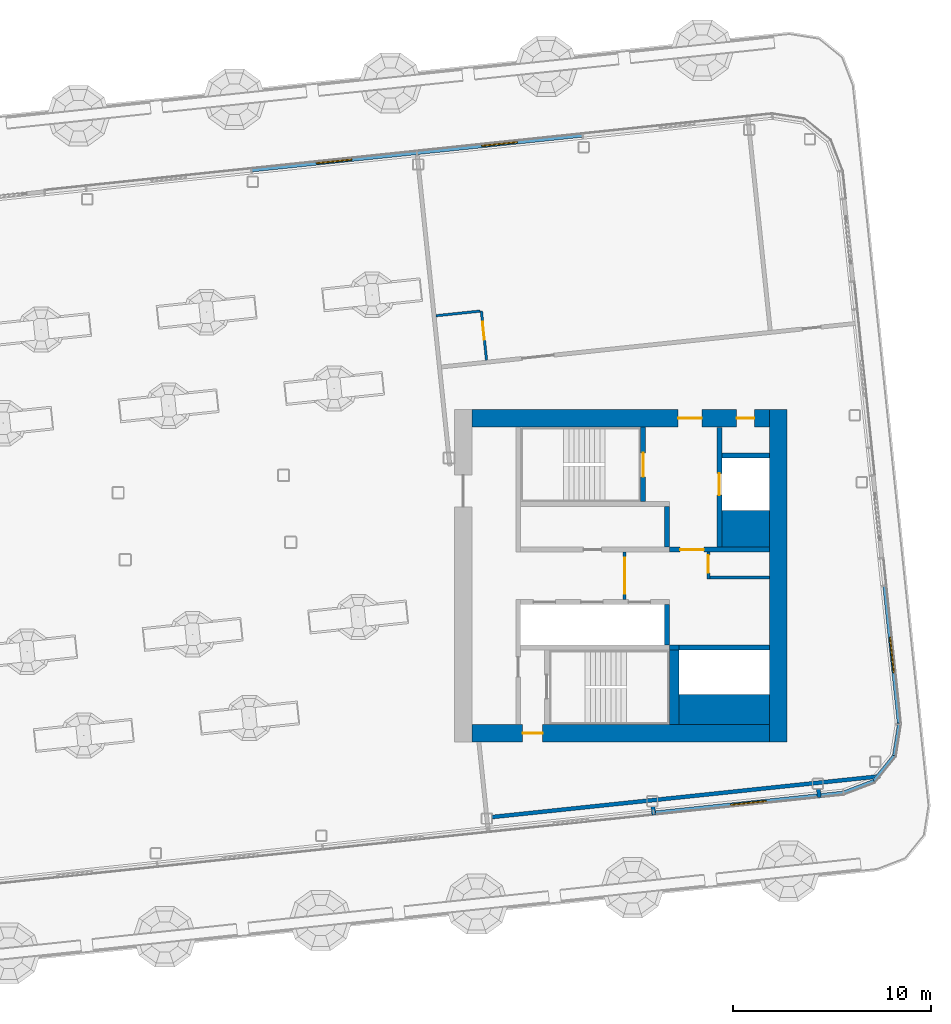
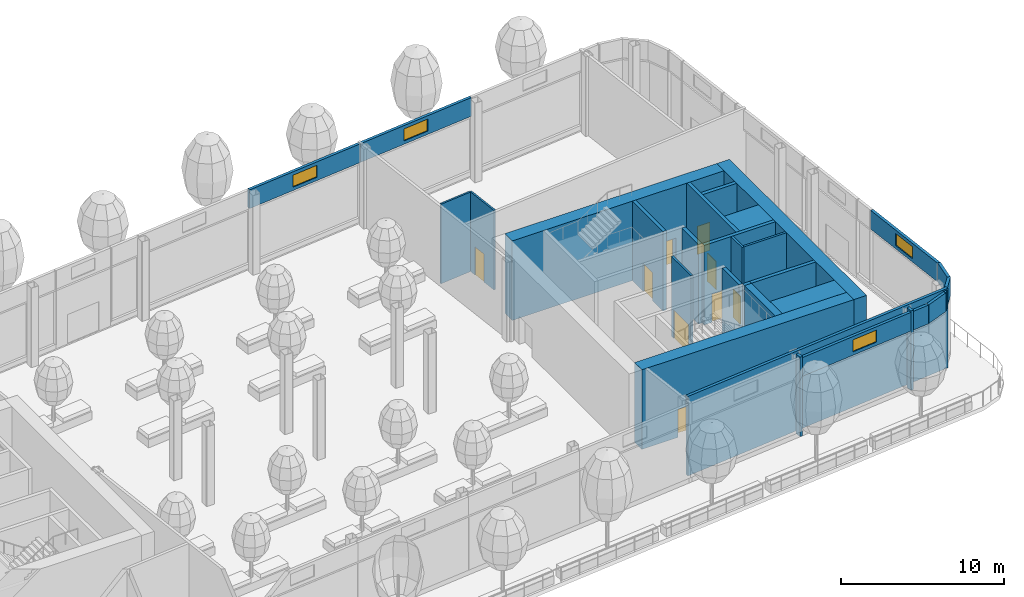
# One storey, part 14 of 42: 29 walls, 9 doors, 4 windows, 13 openings, 4 elements without a shape of their own.
"""IFC4 building model written with IfcOpenShell, lengths in metres."""

from ifc_helpers import new_model, si_unit, direction, frame, frame_2d, origin, place, context, subcontext, project, spatial, rectangle, extrude, material, layer, layer_set, type_object, element, fill, aggregate, save


model = new_model("IFC4")

# Units and contexts
model_context = context("Model", 3, precision=1e-05, world=origin(), true_north=direction((0.0, 1.0)))
body_context = subcontext(model_context, "Body", "Model", "MODEL_VIEW")
ifc_project = project(units=[si_unit("LENGTHUNIT", "METRE"), si_unit("AREAUNIT", "SQUARE_METRE"), si_unit("VOLUMEUNIT", "CUBIC_METRE"), si_unit("PLANEANGLEUNIT", "RADIAN"), si_unit("MASSUNIT", "GRAM", prefix="KILO")], contexts=[model_context])

# Site, building, storey
site_placement = place(None, origin())
site = spatial("IfcSite", under=ifc_project, at=site_placement, CompositionType="ELEMENT")
building_placement = place(site_placement, origin())
building = spatial("IfcBuilding", under=site, at=building_placement, Name="Hakoniwa Tower and Hamabe Station Hall", CompositionType="ELEMENT")
storey_placement = place(building_placement, frame((0.0, 0.0, 232.60009765625)))
storey = spatial("IfcBuildingStorey", under=building, at=storey_placement, Name="L66", CompositionType="ELEMENT", Elevation=232.60009765625)

# Wall, opening, door
ifc_material_1 = material(Name="Gypsum board partition")
ifc_layer_1 = layer(ifc_material_1, 0.14990234375)
ifc_layer_set_1 = layer_set([ifc_layer_1], Name="CORE PARTITION 150 EI 60")
wall_type_1 = type_object("IfcWallType", Name="CORE PARTITION 150 EI 60", PredefinedType="PARTITIONING", material=ifc_layer_set_1)
wall_1_placement = place(storey_placement, frame((25.39990234375, -1.199951171875, 0.0), z_axis=(0.0, 0.0, 1.0), x_axis=(0.0, 1.0, 0.0)))
wall_1 = element("IfcWall", 1, at=wall_1_placement, inside=storey, type_object=wall_type_1, Name="Core partition PL0 east", PredefinedType="PARTITIONING", context=body_context, shape_type="SweptSolid", body=[
    extrude(rectangle(XDim=2.39990234375, YDim=0.14990234375, at=frame_2d((1.199951171875, 0.0))), origin(), (0.0, 0.0, 1.0), 5.949951171875),
])
opening_1_placement = place(wall_1_placement, frame((0.300048828125, 0.0, 0.0)))
opening_1 = element("IfcOpeningElement", 2, at=opening_1_placement, cuts=wall_1, Name="Opening CD-E-LP0-18", PredefinedType="OPENING", context=body_context, shape_type="SweptSolid", body=[
    extrude(rectangle(XDim=1.800048828125, YDim=2.10009765625, at=frame_2d((0.89990234375, 1.050048828125))), frame((0.0, 0.0849609375, 0.0), z_axis=(0.0, -1.0, 0.0), x_axis=(1.0, 0.0, 0.0)), (0.0, 0.0, 1.0), 0.169921875),
])
ifc_material_2 = material(Name="Steel fire door", Category="steel")
door_type_1 = type_object("IfcDoorType", Name="CORE DOOR 1800 FD60", OperationType="DOUBLE_DOOR_SINGLE_SWING", PredefinedType="DOOR", material=ifc_material_2)
door_1_placement = place(opening_1_placement, origin())
door_1 = element("IfcDoor", 3, at=door_1_placement, inside=storey, type_object=door_type_1, Name="Lift lobby partition door", OperationType="DOUBLE_DOOR_SINGLE_SWING", OverallHeight=2.10009765625, OverallWidth=1.800048828125, PredefinedType="DOOR", context=body_context, shape_type="SweptSolid", body=[
    extrude(rectangle(XDim=1.800048828125, YDim=2.10009765625, at=frame_2d((0.89990234375, 1.050048828125))), frame((0.0, 0.02490234375, 0.0), z_axis=(0.0, -1.0, 0.0), x_axis=(1.0, 0.0, 0.0)), (0.0, 0.0, 1.0), 0.050048828125),
])
fill(opening_1, door_1)

wall_2_placement = place(storey_placement, frame((29.625, -0.14990234375, 0.0), z_axis=(0.0, 0.0, 1.0), x_axis=(0.0, 1.0, 0.0)))
wall_2 = element("IfcWall", 4, at=wall_2_placement, inside=storey, type_object=wall_type_1, Name="Core partition PW0 east", PredefinedType="PARTITIONING", context=body_context, shape_type="SweptSolid", body=[
    extrude(rectangle(XDim=1.349853515625, YDim=0.14990234375, at=frame_2d((0.6748046875, 0.0))), origin(), (0.0, 0.0, 1.0), 5.949951171875),
])
opening_2_placement = place(wall_2_placement, frame((0.300048828125, 0.0, 0.0)))
opening_2 = element("IfcOpeningElement", 5, at=opening_2_placement, cuts=wall_2, Name="Opening CD-E-RM1-9", PredefinedType="OPENING", context=body_context, shape_type="SweptSolid", body=[
    extrude(rectangle(XDim=0.89990234375, YDim=2.10009765625, at=frame_2d((0.449951171875, 1.050048828125))), frame((0.0, 0.0849609375, 0.0), z_axis=(0.0, -1.0, 0.0), x_axis=(1.0, 0.0, 0.0)), (0.0, 0.0, 1.0), 0.169921875),
])
ifc_material_3 = material(Name="Steel fire door", Category="steel")
door_type_2 = type_object("IfcDoorType", Name="CORE DOOR 900 FD30", OperationType="NOTDEFINED", PredefinedType="DOOR", material=ifc_material_3)
door_2_placement = place(opening_2_placement, origin())
door_2 = element("IfcDoor", 6, at=door_2_placement, inside=storey, type_object=door_type_2, Name="Store room door", OperationType="SINGLE_SWING_RIGHT", OverallHeight=2.10009765625, OverallWidth=0.89990234375, PredefinedType="DOOR", context=body_context, shape_type="SweptSolid", body=[
    extrude(rectangle(XDim=0.89990234375, YDim=2.10009765625, at=frame_2d((0.449951171875, 1.050048828125))), frame((0.0, 0.02490234375, 0.0), z_axis=(0.0, -1.0, 0.0), x_axis=(1.0, 0.0, 0.0)), (0.0, 0.0, 1.0), 0.050048828125),
])
fill(opening_2, door_2)

# Walls
wall_3_placement = place(storey_placement, frame((29.699951171875, -0.074951171875, 0.0), z_axis=(0.0, 0.0, 1.0), x_axis=(1.0, 0.0, 0.0)))
element("IfcWall", 7, at=wall_3_placement, inside=storey, type_object=wall_type_1, Name="Core partition PS east", PredefinedType="PARTITIONING", context=body_context, shape_type="SweptSolid", body=[
    extrude(rectangle(XDim=3.0, YDim=0.14990234375, at=frame_2d((1.5, 0.0))), origin(), (0.0, 0.0, 1.0), 5.949951171875),
])
ifc_material_4 = material(Name="Concrete C60", Category="concrete")
ifc_layer_2 = layer(ifc_material_4, 0.89990234375)
ifc_layer_set_2 = layer_set([ifc_layer_2], Name="CORE WALL 900 C60")
wall_type_2 = type_object("IfcWallType", Name="CORE WALL 900 C60", PredefinedType="SHEAR", material=ifc_layer_set_2)
wall_4_placement = place(storey_placement, frame((33.14990234375, -8.39990234375, 0.0), z_axis=(0.0, 0.0, 1.0), x_axis=(0.0, 1.0, 0.0)))
element("IfcWall", 8, at=wall_4_placement, inside=storey, type_object=wall_type_2, Name="Core wall OUTER east", PredefinedType="SHEAR", context=body_context, shape_type="SweptSolid", body=[
    extrude(rectangle(XDim=16.7998046875, YDim=0.89990234375, at=frame_2d((8.39990234375, 0.0))), origin(), (0.0, 0.0, 1.0), 5.949951171875),
])

# Wall, openings, doors
wall_5_placement = place(storey_placement, frame((17.699951171875, 7.949951171875, 0.0), z_axis=(0.0, 0.0, 1.0), x_axis=(1.0, 0.0, 0.0)))
wall_5 = element("IfcWall", 9, at=wall_5_placement, inside=storey, type_object=wall_type_2, Name="Core wall NORTH east", PredefinedType="SHEAR", context=body_context, shape_type="SweptSolid", body=[
    extrude(rectangle(XDim=15.0, YDim=0.89990234375, at=frame_2d((7.5, 0.0))), origin(), (0.0, 0.0, 1.0), 5.949951171875),
])
opening_3_placement = place(wall_5_placement, frame((10.39990234375, 0.0, 0.0)))
opening_3 = element("IfcOpeningElement", 10, at=opening_3_placement, cuts=wall_5, Name="Opening CD-E-FN1-12", PredefinedType="OPENING", context=body_context, shape_type="SweptSolid", body=[
    extrude(rectangle(XDim=1.199951171875, YDim=2.10009765625, at=frame_2d((0.60009765625, 1.050048828125))), frame((0.0, 0.4599609375, 0.0), z_axis=(0.0, -1.0, 0.0), x_axis=(1.0, 0.0, 0.0)), (0.0, 0.0, 1.0), 0.919921875),
])
opening_4_placement = place(wall_5_placement, frame((13.35009765625, 0.0, 0.0)))
opening_4 = element("IfcOpeningElement", 11, at=opening_4_placement, cuts=wall_5, Name="Opening CD-E-FN2-9", PredefinedType="OPENING", context=body_context, shape_type="SweptSolid", body=[
    extrude(rectangle(XDim=0.89990234375, YDim=2.10009765625, at=frame_2d((0.449951171875, 1.050048828125))), frame((0.0, 0.4599609375, 0.0), z_axis=(0.0, -1.0, 0.0), x_axis=(1.0, 0.0, 0.0)), (0.0, 0.0, 1.0), 0.919921875),
])
ifc_material_5 = material(Name="Steel fire door", Category="steel")
door_type_3 = type_object("IfcDoorType", Name="CORE DOOR 1200 FD60", OperationType="DOUBLE_DOOR_SINGLE_SWING", PredefinedType="DOOR", material=ifc_material_5)
door_3_placement = place(opening_3_placement, origin())
door_3 = element("IfcDoor", 12, at=door_3_placement, inside=storey, type_object=door_type_3, Name="Stair vestibule door to the fire-fighting lobby", OperationType="DOUBLE_DOOR_SINGLE_SWING", OverallHeight=2.10009765625, OverallWidth=1.199951171875, PredefinedType="DOOR", context=body_context, shape_type="SweptSolid", body=[
    extrude(rectangle(XDim=1.199951171875, YDim=2.10009765625, at=frame_2d((0.60009765625, 1.050048828125))), frame((0.0, 0.02490234375, 0.0), z_axis=(0.0, -1.0, 0.0), x_axis=(1.0, 0.0, 0.0)), (0.0, 0.0, 1.0), 0.050048828125),
])
fill(opening_3, door_3)
door_4_placement = place(opening_4_placement, origin())
door_4 = element("IfcDoor", 13, at=door_4_placement, inside=storey, type_object=door_type_2, Name="Riser access door", OperationType="SINGLE_SWING_LEFT", OverallHeight=2.10009765625, OverallWidth=0.89990234375, PredefinedType="DOOR", context=body_context, shape_type="SweptSolid", body=[
    extrude(rectangle(XDim=0.89990234375, YDim=2.10009765625, at=frame_2d((0.449951171875, 1.050048828125))), frame((0.0, 0.02490234375, 0.0), z_axis=(0.0, -1.0, 0.0), x_axis=(1.0, 0.0, 0.0)), (0.0, 0.0, 1.0), 0.050048828125),
])
fill(opening_4, door_4)

# Wall, opening, door
wall_6_placement = place(storey_placement, frame((17.699951171875, -7.949951171875, 0.0), z_axis=(0.0, 0.0, 1.0), x_axis=(1.0, 0.0, 0.0)))
wall_6 = element("IfcWall", 14, at=wall_6_placement, inside=storey, type_object=wall_type_2, Name="Core wall SOUTH east", PredefinedType="SHEAR", context=body_context, shape_type="SweptSolid", body=[
    extrude(rectangle(XDim=15.0, YDim=0.89990234375, at=frame_2d((7.5, 0.0))), origin(), (0.0, 0.0, 1.0), 5.949951171875),
])
opening_5_placement = place(wall_6_placement, frame((2.550048828125, 0.0, 0.0)))
opening_5 = element("IfcOpeningElement", 15, at=opening_5_placement, cuts=wall_6, Name="Opening CD-E-FS3-10", PredefinedType="OPENING", context=body_context, shape_type="SweptSolid", body=[
    extrude(rectangle(XDim=1.0, YDim=2.10009765625, at=frame_2d((0.5, 1.050048828125))), frame((0.0, 0.4599609375, 0.0), z_axis=(0.0, -1.0, 0.0), x_axis=(1.0, 0.0, 0.0)), (0.0, 0.0, 1.0), 0.919921875),
])
ifc_material_6 = material(Name="Steel fire door", Category="steel")
door_type_4 = type_object("IfcDoorType", Name="CORE DOOR 1000 FD60", OperationType="NOTDEFINED", PredefinedType="DOOR", material=ifc_material_6)
door_5_placement = place(opening_5_placement, origin())
door_5 = element("IfcDoor", 16, at=door_5_placement, inside=storey, type_object=door_type_4, Name="Stair vestibule door", OperationType="SINGLE_SWING_RIGHT", OverallHeight=2.10009765625, OverallWidth=1.0, PredefinedType="DOOR", context=body_context, shape_type="SweptSolid", body=[
    extrude(rectangle(XDim=1.0, YDim=2.10009765625, at=frame_2d((0.5, 1.050048828125))), frame((0.0, 0.02490234375, 0.0), z_axis=(0.0, -1.0, 0.0), x_axis=(1.0, 0.0, 0.0)), (0.0, 0.0, 1.0), 0.050048828125),
])
fill(opening_5, door_5)

# Walls
ifc_material_7 = material(Name="Concrete C60", Category="concrete")
ifc_layer_3 = layer(ifc_material_7, 1.5)
ifc_layer_set_3 = layer_set([ifc_layer_3], Name="CORE WEB WALL 1500 C60")
wall_type_3 = type_object("IfcWallType", Name="CORE WEB WALL 1500 C60", PredefinedType="SHEAR", material=ifc_layer_set_3)
wall_7_placement = place(storey_placement, frame((28.14990234375, -6.75, 0.0), z_axis=(0.0, 0.0, 1.0), x_axis=(1.0, 0.0, 0.0)))
element("IfcWall", 17, at=wall_7_placement, inside=storey, type_object=wall_type_3, Name="Core wall SER east", PredefinedType="SHEAR", context=body_context, shape_type="SweptSolid", body=[
    extrude(rectangle(XDim=4.550048828125, YDim=1.5, at=frame_2d((2.27490234375, 0.0))), origin(), (0.0, 0.0, 1.0), 5.949951171875),
])
ifc_material_8 = material(Name="Concrete C60", Category="concrete")
ifc_layer_4 = layer(ifc_material_8, 1.85009765625)
ifc_layer_set_4 = layer_set([ifc_layer_4], Name="CORE WEB WALL 1850 C60")
wall_type_4 = type_object("IfcWallType", Name="CORE WEB WALL 1850 C60", PredefinedType="SHEAR", material=ifc_layer_set_4)
wall_8_placement = place(storey_placement, frame((30.300048828125, 2.375, 0.0), z_axis=(0.0, 0.0, 1.0), x_axis=(1.0, 0.0, 0.0)))
element("IfcWall", 18, at=wall_8_placement, inside=storey, type_object=wall_type_4, Name="Core wall CA east", PredefinedType="SHEAR", context=body_context, shape_type="SweptSolid", body=[
    extrude(rectangle(XDim=2.39990234375, YDim=1.85009765625, at=frame_2d((1.199951171875, 0.0))), origin(), (0.0, 0.0, 1.0), 5.949951171875),
])
ifc_material_9 = material(Name="Concrete C60", Category="concrete")
ifc_layer_5 = layer(ifc_material_9, 0.25)
ifc_layer_set_5 = layer_set([ifc_layer_5], Name="CORE WEB WALL 250 C60")
wall_type_5 = type_object("IfcWallType", Name="CORE WEB WALL 250 C60", PredefinedType="SHEAR", material=ifc_layer_set_5)
wall_9_placement = place(storey_placement, frame((27.52490234375, 1.449951171875, 0.0), z_axis=(0.0, 0.0, 1.0), x_axis=(0.0, 1.0, 0.0)))
element("IfcWall", 19, at=wall_9_placement, inside=storey, type_object=wall_type_5, Name="Core wall NE east", PredefinedType="SHEAR", context=body_context, shape_type="SweptSolid", body=[
    extrude(rectangle(XDim=2.050048828125, YDim=0.25, at=frame_2d((1.02490234375, 0.0))), origin(), (0.0, 0.0, 1.0), 5.949951171875),
])

# Wall, opening, door
wall_10_placement = place(storey_placement, frame((26.324951171875, 3.75, 0.0), z_axis=(0.0, 0.0, 1.0), x_axis=(0.0, 1.0, 0.0)))
wall_10 = element("IfcWall", 20, at=wall_10_placement, inside=storey, type_object=wall_type_5, Name="Core wall NSE east", PredefinedType="SHEAR", context=body_context, shape_type="SweptSolid", body=[
    extrude(rectangle(XDim=3.75, YDim=0.25, at=frame_2d((1.875, 0.0))), origin(), (0.0, 0.0, 1.0), 5.949951171875),
])
opening_6_placement = place(wall_10_placement, frame((1.25, 0.0, 0.0)))
opening_6 = element("IfcOpeningElement", 21, at=opening_6_placement, cuts=wall_10, Name="Opening CD-E-SN-12", PredefinedType="OPENING", context=body_context, shape_type="SweptSolid", body=[
    extrude(rectangle(XDim=1.199951171875, YDim=2.10009765625, at=frame_2d((0.60009765625, 1.050048828125))), frame((0.0, 0.135009765625, 0.0), z_axis=(0.0, -1.0, 0.0), x_axis=(1.0, 0.0, 0.0)), (0.0, 0.0, 1.0), 0.27001953125),
])
door_6_placement = place(opening_6_placement, origin())
door_6 = element("IfcDoor", 22, at=door_6_placement, inside=storey, type_object=door_type_3, Name="Escape stair door", OperationType="DOUBLE_DOOR_SINGLE_SWING", OverallHeight=2.10009765625, OverallWidth=1.199951171875, PredefinedType="DOOR", context=body_context, shape_type="SweptSolid", body=[
    extrude(rectangle(XDim=1.199951171875, YDim=2.10009765625, at=frame_2d((0.60009765625, 1.050048828125))), frame((0.0, 0.02490234375, 0.0), z_axis=(0.0, -1.0, 0.0), x_axis=(1.0, 0.0, 0.0)), (0.0, 0.0, 1.0), 0.050048828125),
])
fill(opening_6, door_6)

wall_11_placement = place(storey_placement, frame((27.64990234375, 1.324951171875, 0.0), z_axis=(0.0, 0.0, 1.0), x_axis=(1.0, 0.0, 0.0)))
wall_11 = element("IfcWall", 23, at=wall_11_placement, inside=storey, type_object=wall_type_5, Name="Core wall ELN east", PredefinedType="SHEAR", context=body_context, shape_type="SweptSolid", body=[
    extrude(rectangle(XDim=5.050048828125, YDim=0.25, at=frame_2d((2.52490234375, 0.0))), origin(), (0.0, 0.0, 1.0), 5.949951171875),
])
opening_7_placement = place(wall_11_placement, frame((0.550048828125, 0.0, 0.0)))
opening_7 = element("IfcOpeningElement", 24, at=opening_7_placement, cuts=wall_11, Name="Opening CD-E-FL-12", PredefinedType="OPENING", context=body_context, shape_type="SweptSolid", body=[
    extrude(rectangle(XDim=1.199951171875, YDim=2.10009765625, at=frame_2d((0.60009765625, 1.050048828125))), frame((0.0, 0.135009765625, 0.0), z_axis=(0.0, -1.0, 0.0), x_axis=(1.0, 0.0, 0.0)), (0.0, 0.0, 1.0), 0.27001953125),
])
door_7_placement = place(opening_7_placement, origin())
door_7 = element("IfcDoor", 25, at=door_7_placement, inside=storey, type_object=door_type_3, Name="Stair vestibule door to the fire-fighting lobby", OperationType="DOUBLE_DOOR_SINGLE_SWING", OverallHeight=2.10009765625, OverallWidth=1.199951171875, PredefinedType="DOOR", context=body_context, shape_type="SweptSolid", body=[
    extrude(rectangle(XDim=1.199951171875, YDim=2.10009765625, at=frame_2d((0.60009765625, 1.050048828125))), frame((0.0, 0.02490234375, 0.0), z_axis=(0.0, -1.0, 0.0), x_axis=(1.0, 0.0, 0.0)), (0.0, 0.0, 1.0), 0.050048828125),
])
fill(opening_7, door_7)

wall_12_placement = place(storey_placement, frame((30.175048828125, 1.449951171875, 0.0), z_axis=(0.0, 0.0, 1.0), x_axis=(0.0, 1.0, 0.0)))
wall_12 = element("IfcWall", 26, at=wall_12_placement, inside=storey, type_object=wall_type_5, Name="Core wall FFF east", PredefinedType="SHEAR", context=body_context, shape_type="SweptSolid", body=[
    extrude(rectangle(XDim=6.050048828125, YDim=0.25, at=frame_2d((3.02490234375, 0.0))), origin(), (0.0, 0.0, 1.0), 5.949951171875),
])
opening_8_placement = place(wall_12_placement, frame((2.625, 0.0, 0.0)))
opening_8 = element("IfcOpeningElement", 27, at=opening_8_placement, cuts=wall_12, Name="Opening LD-FF2", PredefinedType="OPENING", context=body_context, shape_type="SweptSolid", body=[
    extrude(rectangle(XDim=1.10009765625, YDim=2.10009765625, at=frame_2d((0.550048828125, 1.050048828125))), frame((0.0, 0.135009765625, 0.0), z_axis=(0.0, -1.0, 0.0), x_axis=(1.0, 0.0, 0.0)), (0.0, 0.0, 1.0), 0.27001953125),
])
ifc_material_10 = material(Name="Stainless steel SUS304", Category="steel")
door_type_5 = type_object("IfcDoorType", Name="LIFT LANDING DOOR 1100 FD60", OperationType="DOUBLE_DOOR_SLIDING", PredefinedType="DOOR", material=ifc_material_10)
door_8_placement = place(opening_8_placement, origin())
door_8 = element("IfcDoor", 28, at=door_8_placement, inside=storey, type_object=door_type_5, Name="Lift landing door FF2 L66", OperationType="DOUBLE_DOOR_SLIDING", OverallHeight=2.10009765625, OverallWidth=1.10009765625, PredefinedType="DOOR", context=body_context, shape_type="SweptSolid", body=[
    extrude(rectangle(XDim=1.10009765625, YDim=2.10009765625, at=frame_2d((0.550048828125, 1.050048828125))), frame((0.0, 0.02490234375, 0.0), z_axis=(0.0, -1.0, 0.0), x_axis=(1.0, 0.0, 0.0)), (0.0, 0.0, 1.0), 0.050048828125),
])
fill(opening_8, door_8)

# Walls
wall_13_placement = place(storey_placement, frame((30.300048828125, 6.074951171875, 0.0), z_axis=(0.0, 0.0, 1.0), x_axis=(1.0, 0.0, 0.0)))
element("IfcWall", 29, at=wall_13_placement, inside=storey, type_object=wall_type_5, Name="Core wall C2 east", PredefinedType="SHEAR", context=body_context, shape_type="SweptSolid", body=[
    extrude(rectangle(XDim=2.39990234375, YDim=0.25, at=frame_2d((1.199951171875, 0.0))), origin(), (0.0, 0.0, 1.0), 5.949951171875),
])
wall_14_placement = place(storey_placement, frame((27.52490234375, -3.5, 0.0), z_axis=(0.0, 0.0, 1.0), x_axis=(0.0, 1.0, 0.0)))
element("IfcWall", 30, at=wall_14_placement, inside=storey, type_object=wall_type_5, Name="Core wall SE east", PredefinedType="SHEAR", context=body_context, shape_type="SweptSolid", body=[
    extrude(rectangle(XDim=2.050048828125, YDim=0.25, at=frame_2d((1.02490234375, 0.0))), origin(), (0.0, 0.0, 1.0), 5.949951171875),
])
wall_15_placement = place(storey_placement, frame((28.14990234375, -3.625, 0.0), z_axis=(0.0, 0.0, 1.0), x_axis=(1.0, 0.0, 0.0)))
element("IfcWall", 31, at=wall_15_placement, inside=storey, type_object=wall_type_5, Name="Core wall SEF east", PredefinedType="SHEAR", context=body_context, shape_type="SweptSolid", body=[
    extrude(rectangle(XDim=4.550048828125, YDim=0.25, at=frame_2d((2.27490234375, 0.0))), origin(), (0.0, 0.0, 1.0), 5.949951171875),
])
wall_16_placement = place(storey_placement, frame((27.64990234375, -3.625, 0.0), z_axis=(0.0, 0.0, 1.0), x_axis=(1.0, 0.0, 0.0)))
element("IfcWall", 32, at=wall_16_placement, inside=storey, type_object=wall_type_5, Name="Core wall SRK east", PredefinedType="SHEAR", context=body_context, shape_type="SweptSolid", body=[
    extrude(rectangle(XDim=0.5, YDim=0.25, at=frame_2d((0.25, 0.0))), origin(), (0.0, 0.0, 1.0), 5.949951171875),
])
ifc_material_11 = material(Name="Concrete C60", Category="concrete")
ifc_layer_6 = layer(ifc_material_11, 0.5)
ifc_layer_set_6 = layer_set([ifc_layer_6], Name="CORE WEB WALL 500 C60")
wall_type_6 = type_object("IfcWallType", Name="CORE WEB WALL 500 C60", PredefinedType="SHEAR", material=ifc_layer_set_6)
wall_17_placement = place(storey_placement, frame((27.89990234375, -7.5, 0.0), z_axis=(0.0, 0.0, 1.0), x_axis=(0.0, 1.0, 0.0)))
element("IfcWall", 33, at=wall_17_placement, inside=storey, type_object=wall_type_6, Name="Core wall SSE east", PredefinedType="SHEAR", context=body_context, shape_type="SweptSolid", body=[
    extrude(rectangle(XDim=3.75, YDim=0.5, at=frame_2d((1.875, 0.0))), origin(), (0.0, 0.0, 1.0), 5.949951171875),
])
ifc_material_12 = material(Name="Fire-rated gypsum board partition", Category="gypsum")
ifc_layer_7 = layer(ifc_material_12, 0.199951171875)
ifc_layer_set_7 = layer_set([ifc_layer_7], Name="Corridor Wall 200")
wall_type_7 = type_object("IfcWallType", Name="Corridor Wall 200", PredefinedType="PARTITIONING", material=ifc_layer_set_7)
wall_18_placement = place(storey_placement, frame((18.708251953125, -12.17724609375, 0.0), z_axis=(0.0, 0.0, 1.0), x_axis=(0.994521604238, 0.104531233147, 0.0)))
element("IfcWall", 34, at=wall_18_placement, inside=storey, type_object=wall_type_7, Name="GW-L66-001", PredefinedType="PARTITIONING", context=body_context, shape_type="SweptSolid", body=[
    extrude(rectangle(XDim=19.6982421875, YDim=0.199951171875, at=frame_2d((9.84912109375, 0.0))), origin(), (0.0, 0.0, 1.0), 5.949951171875),
])
ifc_material_13 = material(Name="Fire-rated gypsum board partition", Category="gypsum")
ifc_layer_8 = layer(ifc_material_13, 0.199951171875)
ifc_layer_set_8 = layer_set([ifc_layer_8], Name="Party Wall 200")
wall_type_8 = type_object("IfcWallType", Name="Party Wall 200", PredefinedType="PARTITIONING", material=ifc_layer_set_8)
for number, where, z_axis, x_axis, name in (
    (35, (26.870361328125, -12.071044921875, 0.0), (0.0, 0.0, 1.0), (-0.104743412259, 0.994499279833, 0.0), "GW-L66-019"),
    (36, (35.224365234375, -11.193115234375, 0.0), (0.0, 0.0, 1.0), (-0.104743412259, 0.994499279833, 0.0), "GW-L66-020"),
):
    element("IfcWall", number, at=place(storey_placement, frame(where, z_axis=z_axis, x_axis=x_axis)), inside=storey, type_object=wall_type_8, Name=name, PredefinedType="PARTITIONING", context=body_context, shape_type="SweptSolid", body=[
        extrude(rectangle(XDim=0.43359375, YDim=0.199951171875, at=frame_2d((0.216796875, 0.0))), origin(), (0.0, 0.0, 1.0), 5.949951171875),
    ])
ifc_material_14 = material(Name="Gypsum board partition", Category="gypsum")
ifc_layer_9 = layer(ifc_material_14, 0.125)
ifc_layer_set_9 = layer_set([ifc_layer_9], Name="Room Partition 125")
wall_type_9 = type_object("IfcWallType", Name="Room Partition 125", PredefinedType="PARTITIONING", material=ifc_layer_set_9)
wall_19_placement = place(storey_placement, frame((15.8759765625, 13.12939453125, 0.0), z_axis=(0.0, 0.0, 1.0), x_axis=(0.994520987839, 0.104537097471, 0.0)))
element("IfcWall", 37, at=wall_19_placement, inside=storey, type_object=wall_type_9, Name="GW-L66-004", PredefinedType="PARTITIONING", context=body_context, shape_type="SweptSolid", body=[
    extrude(rectangle(XDim=2.2373046875, YDim=0.125, at=frame_2d((1.11865234375, 0.0))), origin(), (0.0, 0.0, 1.0), 5.949951171875),
])

# Wall, opening, door
wall_20_placement = place(storey_placement, frame((18.424560546875, 10.883544921875, 0.0), z_axis=(0.0, 0.0, 1.0), x_axis=(-0.104501760842, 0.994524701544, 0.0)))
wall_20 = element("IfcWall", 38, at=wall_20_placement, inside=storey, type_object=wall_type_9, Name="GW-L66-018", PredefinedType="PARTITIONING", context=body_context, shape_type="SweptSolid", body=[
    extrude(rectangle(XDim=2.499755859375, YDim=0.125, at=frame_2d((1.25, 0.0))), origin(), (0.0, 0.0, 1.0), 5.949951171875),
])
opening_9_placement = place(wall_20_placement, frame((1.050048828125, 0.0, 0.0)))
opening_9 = element("IfcOpeningElement", 39, at=opening_9_placement, cuts=wall_20, Name="Opening GD-SL66-12", PredefinedType="OPENING", context=body_context, shape_type="SweptSolid", body=[
    extrude(rectangle(XDim=0.89990234375, YDim=2.10009765625, at=frame_2d((0.449951171875, 1.050048828125))), frame((0.0, 0.072509765625, 0.0), z_axis=(0.0, -1.0, 0.0), x_axis=(1.0, 0.0, 0.0)), (0.0, 0.0, 1.0), 0.14501953125),
])
ifc_material_15 = material(Name="Timber door leaf", Category="wood")
door_type_6 = type_object("IfcDoorType", Name="Suite Interior Door 900", OperationType="SINGLE_SWING_LEFT", PredefinedType="DOOR", material=ifc_material_15)
door_9_placement = place(opening_9_placement, origin())
door_9 = element("IfcDoor", 40, at=door_9_placement, inside=storey, type_object=door_type_6, Name="Door GD-SL66-12", OperationType="SINGLE_SWING_LEFT", OverallHeight=2.10009765625, OverallWidth=0.89990234375, PredefinedType="DOOR", context=body_context, shape_type="SweptSolid", body=[
    extrude(rectangle(XDim=0.89990234375, YDim=2.10009765625, at=frame_2d((0.449951171875, 1.050048828125))), frame((0.0, 0.02490234375, 0.0), z_axis=(0.0, -1.0, 0.0), x_axis=(1.0, 0.0, 0.0)), (0.0, 0.0, 1.0), 0.050048828125),
])
fill(opening_9, door_9)

# Curtain wall, wall, opening, window
ifc_material_16 = material(Name="Dark low-e laminated glass", Category="glass")
ifc_layer_10 = layer(ifc_material_16, 0.199951171875)
ifc_layer_set_10 = layer_set([ifc_layer_10], Name="CW-2 SKY GARDEN")
curtain_wall_type = type_object("IfcCurtainWallType", Name="CW-2 SKY GARDEN", PredefinedType="NOTDEFINED", material=ifc_layer_set_10)
curtain_wall_1_placement = place(storey_placement, origin())
curtain_wall_1 = element("IfcCurtainWall", 41, at=curtain_wall_1_placement, inside=storey, type_object=curtain_wall_type, Name="CW-2 curtain wall", PredefinedType="NOTDEFINED")
ifc_material_17 = material(Name="Dark glass-faced aluminium panel", Category="aluminium")
ifc_layer_11 = layer(ifc_material_17, 0.199951171875)
ifc_layer_set_11 = layer_set([ifc_layer_11], Name="VENT BAND WALL")
wall_type_10 = type_object("IfcWallType", Name="VENT BAND WALL", PredefinedType="NOTDEFINED", material=ifc_layer_set_11)
wall_21_placement = place(storey_placement, frame((39.256103515625, -7.460693359375, 4.449951171875), z_axis=(0.0, 0.0, 1.0), x_axis=(-0.104506598742, 0.994524193179, 0.0)))
wall_21 = element("IfcWall", 42, at=wall_21_placement, type_object=wall_type_10, Name="Vent band wall", PredefinedType="NOTDEFINED", context=body_context, shape_type="SweptSolid", body=[
    extrude(rectangle(XDim=6.98974609375, YDim=0.199951171875, at=frame_2d((3.494873046875, 0.0))), origin(), (0.0, 0.0, 1.0), 1.39990234375),
])
opening_10_placement = place(wall_21_placement, frame((2.594970703125, 0.0, 0.25)))
opening_10 = element("IfcOpeningElement", 43, at=opening_10_placement, cuts=wall_21, Name="Opening VW-1", PredefinedType="OPENING", context=body_context, shape_type="SweptSolid", body=[
    extrude(rectangle(XDim=1.800048828125, YDim=0.89990234375, at=frame_2d((0.89990234375, 0.449951171875))), frame((0.0, 0.10986328125, 0.0), z_axis=(0.0, -1.0, 0.0), x_axis=(1.0, 0.0, 0.0)), (0.0, 0.0, 1.0), 0.219970703125),
])
ifc_material_18 = material(Name="Dark low-e laminated glass", Category="glass")
window_type = type_object("IfcWindowType", Name="VENT WINDOW 1800X900", PartitioningType="SINGLE_PANEL", PredefinedType="WINDOW", material=ifc_material_18)
window_1_placement = place(opening_10_placement, origin())
window_1 = element("IfcWindow", 44, at=window_1_placement, inside=storey, type_object=window_type, Name="Vent window", OverallHeight=0.89990234375, OverallWidth=1.800048828125, PartitioningType="SINGLE_PANEL", PredefinedType="WINDOW", context=body_context, shape_type="SweptSolid", body=[
    extrude(rectangle(XDim=1.800048828125, YDim=0.89990234375, at=frame_2d((0.89990234375, 0.449951171875))), frame((0.0, 0.030029296875, 0.0), z_axis=(0.0, -1.0, 0.0), x_axis=(1.0, 0.0, 0.0)), (0.0, 0.0, 1.0), 0.06005859375),
])
fill(opening_10, window_1)
aggregate(curtain_wall_1, [wall_21])

# Curtain wall, walls, openings, windows
curtain_wall_2_placement = place(storey_placement, origin())
curtain_wall_2 = element("IfcCurtainWall", 45, at=curtain_wall_2_placement, inside=storey, type_object=curtain_wall_type, Name="CW-2 curtain wall", PredefinedType="NOTDEFINED")
wall_22_placement = place(storey_placement, frame((23.26416015625, 22.239990234375, 4.449951171875), z_axis=(0.0, 0.0, 1.0), x_axis=(-0.994520253788, -0.104544080685, 0.0)))
wall_22 = element("IfcWall", 46, at=wall_22_placement, type_object=wall_type_10, Name="Vent band wall", PredefinedType="NOTDEFINED", context=body_context, shape_type="SweptSolid", body=[
    extrude(rectangle(XDim=8.400146484375, YDim=0.199951171875, at=frame_2d((4.2001953125, 0.0))), origin(), (0.0, 0.0, 1.0), 1.39990234375),
])
opening_11_placement = place(wall_22_placement, frame((3.300048828125, 0.0, 0.25)))
opening_11 = element("IfcOpeningElement", 47, at=opening_11_placement, cuts=wall_22, Name="Opening VW-1", PredefinedType="OPENING", context=body_context, shape_type="SweptSolid", body=[
    extrude(rectangle(XDim=1.800048828125, YDim=0.89990234375, at=frame_2d((0.89990234375, 0.449951171875))), frame((0.0, 0.10986328125, 0.0), z_axis=(0.0, -1.0, 0.0), x_axis=(1.0, 0.0, 0.0)), (0.0, 0.0, 1.0), 0.219970703125),
])
window_2_placement = place(opening_11_placement, origin())
window_2 = element("IfcWindow", 48, at=window_2_placement, inside=storey, type_object=window_type, Name="Vent window", OverallHeight=0.89990234375, OverallWidth=1.800048828125, PartitioningType="SINGLE_PANEL", PredefinedType="WINDOW", context=body_context, shape_type="SweptSolid", body=[
    extrude(rectangle(XDim=1.800048828125, YDim=0.89990234375, at=frame_2d((0.89990234375, 0.449951171875))), frame((0.0, 0.030029296875, 0.0), z_axis=(0.0, -1.0, 0.0), x_axis=(1.0, 0.0, 0.0)), (0.0, 0.0, 1.0), 0.06005859375),
])
fill(opening_11, window_2)
wall_23_placement = place(storey_placement, frame((14.91015625, 21.36181640625, 4.449951171875), z_axis=(0.0, 0.0, 1.0), x_axis=(-0.994523275226, -0.104515333968, 0.0)))
wall_23 = element("IfcWall", 49, at=wall_23_placement, type_object=wall_type_10, Name="Vent band wall", PredefinedType="NOTDEFINED", context=body_context, shape_type="SweptSolid", body=[
    extrude(rectangle(XDim=8.39990234375, YDim=0.199951171875, at=frame_2d((4.199951171875, 0.0))), origin(), (0.0, 0.0, 1.0), 1.39990234375),
])
opening_12_placement = place(wall_23_placement, frame((3.300048828125, 0.0, 0.25)))
opening_12 = element("IfcOpeningElement", 50, at=opening_12_placement, cuts=wall_23, Name="Opening VW-1", PredefinedType="OPENING", context=body_context, shape_type="SweptSolid", body=[
    extrude(rectangle(XDim=1.800048828125, YDim=0.89990234375, at=frame_2d((0.89990234375, 0.449951171875))), frame((0.0, 0.10986328125, 0.0), z_axis=(0.0, -1.0, 0.0), x_axis=(1.0, 0.0, 0.0)), (0.0, 0.0, 1.0), 0.219970703125),
])
window_3_placement = place(opening_12_placement, origin())
window_3 = element("IfcWindow", 51, at=window_3_placement, inside=storey, type_object=window_type, Name="Vent window", OverallHeight=0.89990234375, OverallWidth=1.800048828125, PartitioningType="SINGLE_PANEL", PredefinedType="WINDOW", context=body_context, shape_type="SweptSolid", body=[
    extrude(rectangle(XDim=1.800048828125, YDim=0.89990234375, at=frame_2d((0.89990234375, 0.449951171875))), frame((0.0, 0.030029296875, 0.0), z_axis=(0.0, -1.0, 0.0), x_axis=(1.0, 0.0, 0.0)), (0.0, 0.0, 1.0), 0.06005859375),
])
fill(opening_12, window_3)
aggregate(curtain_wall_2, [wall_22, wall_23])

# Curtain wall, wall, opening, window
curtain_wall_3_placement = place(storey_placement, origin())
curtain_wall_3 = element("IfcCurtainWall", 52, at=curtain_wall_3_placement, inside=storey, type_object=curtain_wall_type, Name="CW-2 curtain wall", PredefinedType="NOTDEFINED")
wall_24_placement = place(storey_placement, frame((26.85986328125, -11.9716796875, 4.449951171875), z_axis=(0.0, 0.0, 1.0), x_axis=(0.994522701643, 0.104520791788, 0.0)))
wall_24 = element("IfcWall", 53, at=wall_24_placement, type_object=wall_type_10, Name="Vent band wall", PredefinedType="NOTDEFINED", context=body_context, shape_type="SweptSolid", body=[
    extrude(rectangle(XDim=9.609619140625, YDim=0.199951171875, at=frame_2d((4.8046875, 0.0))), origin(), (0.0, 0.0, 1.0), 1.39990234375),
])
opening_13_placement = place(wall_24_placement, frame((3.90478515625, 0.0, 0.25)))
opening_13 = element("IfcOpeningElement", 54, at=opening_13_placement, cuts=wall_24, Name="Opening VW-1", PredefinedType="OPENING", context=body_context, shape_type="SweptSolid", body=[
    extrude(rectangle(XDim=1.800048828125, YDim=0.89990234375, at=frame_2d((0.89990234375, 0.449951171875))), frame((0.0, 0.10986328125, 0.0), z_axis=(0.0, -1.0, 0.0), x_axis=(1.0, 0.0, 0.0)), (0.0, 0.0, 1.0), 0.219970703125),
])
window_4_placement = place(opening_13_placement, origin())
window_4 = element("IfcWindow", 55, at=window_4_placement, inside=storey, type_object=window_type, Name="Vent window", OverallHeight=0.89990234375, OverallWidth=1.800048828125, PartitioningType="SINGLE_PANEL", PredefinedType="WINDOW", context=body_context, shape_type="SweptSolid", body=[
    extrude(rectangle(XDim=1.800048828125, YDim=0.89990234375, at=frame_2d((0.89990234375, 0.449951171875))), frame((0.0, 0.030029296875, 0.0), z_axis=(0.0, -1.0, 0.0), x_axis=(1.0, 0.0, 0.0)), (0.0, 0.0, 1.0), 0.06005859375),
])
fill(opening_13, window_4)
aggregate(curtain_wall_3, [wall_24])

# Curtain wall, walls
curtain_wall_4_placement = place(storey_placement, origin())
curtain_wall_4 = element("IfcCurtainWall", 56, at=curtain_wall_4_placement, inside=storey, type_object=curtain_wall_type, Name="CW-2 curtain wall", PredefinedType="NOTDEFINED")
wall_25_placement = place(storey_placement, frame((36.44921875, -10.95947265625, 4.449951171875), z_axis=(0.0, 0.0, 1.0), x_axis=(0.933552276155, 0.358441275085, 0.0)))
wall_25 = element("IfcWall", 57, at=wall_25_placement, type_object=wall_type_10, Name="Vent band wall", PredefinedType="NOTDEFINED", context=body_context, shape_type="SweptSolid", body=[
    extrude(rectangle(XDim=1.642822265625, YDim=0.199951171875, at=frame_2d((0.8212890625, 0.0))), origin(), (0.0, 0.0, 1.0), 1.39990234375),
])
wall_26_placement = place(storey_placement, frame((37.98291015625, -10.37060546875, 4.449951171875), z_axis=(0.0, 0.0, 1.0), x_axis=(0.62928839015, 0.777171874184, 0.0)))
wall_26 = element("IfcWall", 58, at=wall_26_placement, type_object=wall_type_10, Name="Vent band wall", PredefinedType="NOTDEFINED", context=body_context, shape_type="SweptSolid", body=[
    extrude(rectangle(XDim=1.713623046875, YDim=0.199951171875, at=frame_2d((0.85693359375, 0.0))), origin(), (0.0, 0.0, 1.0), 1.39990234375),
])
wall_27_placement = place(storey_placement, frame((39.01953125, -9.0693359375, 4.449951171875), z_axis=(0.0, 0.0, 1.0), x_axis=(0.15634414373, 0.987702641852, 0.0)))
wall_27 = element("IfcWall", 59, at=wall_27_placement, type_object=wall_type_10, Name="Vent band wall", PredefinedType="NOTDEFINED", context=body_context, shape_type="SweptSolid", body=[
    extrude(rectangle(XDim=1.642822265625, YDim=0.199951171875, at=frame_2d((0.8212890625, 0.0))), origin(), (0.0, 0.0, 1.0), 1.39990234375),
])
aggregate(curtain_wall_4, [wall_25, wall_26, wall_27])

save(model, "model.ifc")
